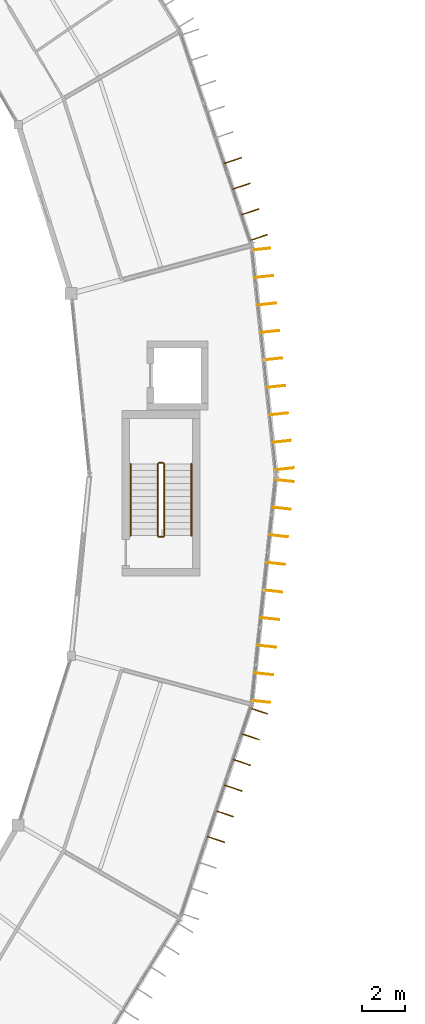
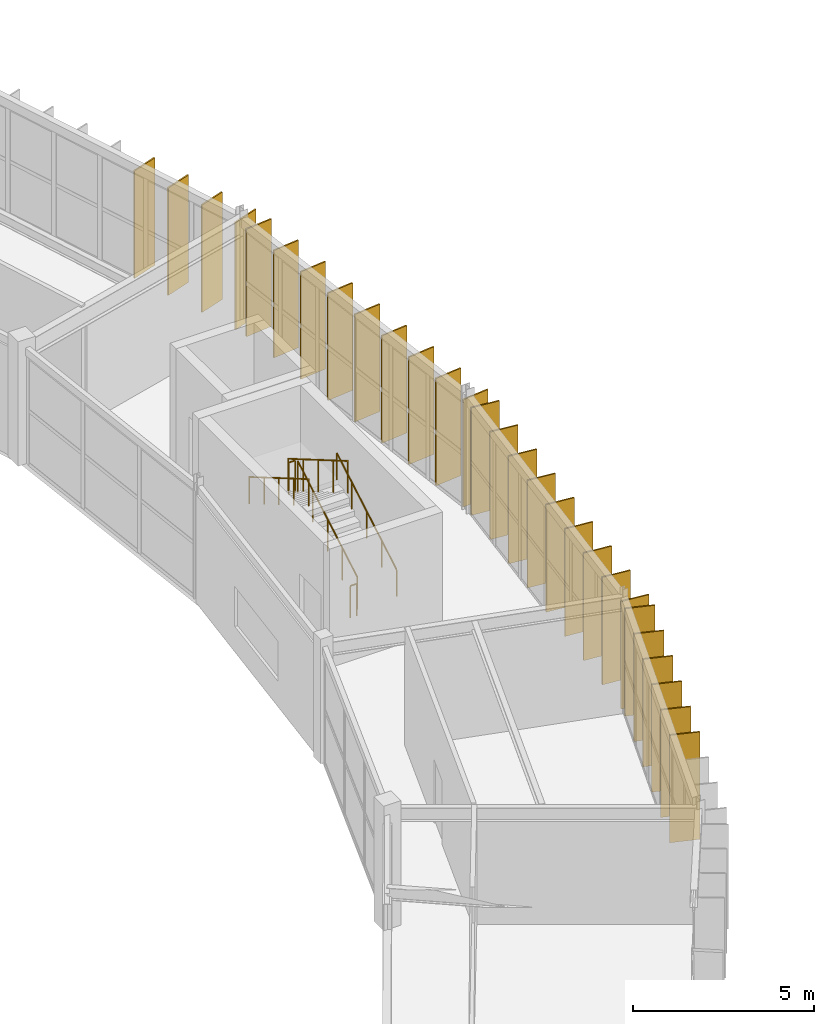
# One storey, part 102 of 106: 28 shading devices, 6 railings.
"""IFC4 building model written with IfcOpenShell, lengths in metres."""

import ifcopenshell
import ifcopenshell.guid

model = None  # the IFC model being written
_history = None  # IfcOwnerHistory: only IFC2X3 demands one
_inside = {}  # id of a spatial element -> (the spatial element, [elements in it])
_under = {}  # id of a project, library or spatial element -> (it, [spatial elements below it])
_declared = {}  # id of a project -> (the project, [libraries it declares])
_typed = {}  # id of a type object -> (the type object, [elements of that type])
_made_of = {}  # id of a material, layer set ... -> (it, [elements and type objects made of it])


def new_model(schema):
    """Start an empty IFC model of exactly this schema.

    Asked for "IFC4X3", IfcOpenShell would pick the latest addendum, in which some entities
    have other attributes; the version numbers below select the first issue.
    IFC2X3 requires an IfcOwnerHistory on every rooted entity: one is made here for all.
    """
    global model, _history
    if schema == "IFC4X3":
        model = ifcopenshell.file(schema_version=(4, 3, 0, 0))
    else:
        model = ifcopenshell.file(schema=schema)
    _inside.clear()
    _under.clear()
    _declared.clear()
    _typed.clear()
    _made_of.clear()
    _history = None
    if model.schema == "IFC2X3":
        org = make("IfcOrganization", Name="unknown")
        user = make(
            "IfcPersonAndOrganization",
            ThePerson=make("IfcPerson", FamilyName="unknown"),
            TheOrganization=org,
        )
        app = make(
            "IfcApplication",
            ApplicationDeveloper=org,
            Version="unknown",
            ApplicationFullName="unknown",
            ApplicationIdentifier="unknown",
        )
        _history = make(
            "IfcOwnerHistory",
            OwningUser=user,
            OwningApplication=app,
            ChangeAction="ADDED",
            CreationDate=0,
        )
    return model


def make(cls, **values):
    """One entity of the class cls with the attributes given. An attribute that is None is left unset."""
    return model.create_entity(
        cls, **{name: value for name, value in values.items() if value is not None}
    )


def rooted(cls, **values):
    """An entity with a GlobalId (a new one), such as an element, a storey or a relation."""
    return make(cls, GlobalId=ifcopenshell.guid.new(), OwnerHistory=_history, **values)


def si_unit(unit_type, name, prefix=None):
    """IfcSIUnit, for example si_unit("LENGTHUNIT", "METRE", prefix="MILLI")."""
    return make("IfcSIUnit", UnitType=unit_type, Prefix=prefix, Name=name)


def assignment(units):
    """IfcUnitAssignment: the units of a project."""
    return None if units is None else make("IfcUnitAssignment", Units=units)


def point(xyz):
    """IfcCartesianPoint."""
    return None if xyz is None else make("IfcCartesianPoint", Coordinates=xyz)


def direction(xyz):
    """IfcDirection."""
    return None if xyz is None else make("IfcDirection", DirectionRatios=xyz)


def frame(location, z_axis=None, x_axis=None):
    """IfcAxis2Placement3D, a coordinate frame: its origin and axes. An axis left out is left unset."""
    return make(
        "IfcAxis2Placement3D",
        Location=point(location),
        Axis=direction(z_axis),
        RefDirection=direction(x_axis),
    )


def frame_2d(location, x_axis=None):
    """IfcAxis2Placement2D, a coordinate frame in the plane: its origin and x axis."""
    return make(
        "IfcAxis2Placement2D", Location=point(location), RefDirection=direction(x_axis)
    )


def origin():
    """The frame at (0, 0, 0) with its axes left unset."""
    return frame((0.0, 0.0, 0.0))


def origin_2d():
    """The frame at (0, 0) in the plane with its x axis left unset."""
    return frame_2d((0.0, 0.0))


def place(relative_to, where):
    """IfcLocalPlacement: puts the frame where relative to a parent placement (None: the world)."""
    return make(
        "IfcLocalPlacement", PlacementRelTo=relative_to, RelativePlacement=where
    )


def context(
    kind, dimensions, precision=None, world=None, true_north=None, identifier=None
):
    """IfcGeometricRepresentationContext, for example the 3D "Model" context."""
    return make(
        "IfcGeometricRepresentationContext",
        ContextIdentifier=identifier,
        ContextType=kind,
        CoordinateSpaceDimension=dimensions,
        Precision=precision,
        WorldCoordinateSystem=world,
        TrueNorth=true_north,
    )


def subcontext(parent, identifier, kind, view, scale=None):
    """IfcGeometricRepresentationSubContext, for example "Body" below "Model"."""
    return make(
        "IfcGeometricRepresentationSubContext",
        ContextIdentifier=identifier,
        ContextType=kind,
        ParentContext=parent,
        TargetScale=scale,
        TargetView=view,
    )


def project(units=None, contexts=None):
    """IfcProject with its units and contexts."""
    return rooted(
        "IfcProject",
        Name="project",
        RepresentationContexts=contexts,
        UnitsInContext=assignment(units),
    )


def spatial(cls, under=None, at=None, **own):
    """A site, building, storey or space (cls), placed at a placement, below another one or the project."""
    s = rooted(cls, ObjectPlacement=at, **own)
    if under is not None:
        _under.setdefault(under.id(), (under, []))[1].append(s)
    return s


def profile(cls, at=None, kind="AREA", **sizes):
    """A parametric profile (cls). Its sizes go by their IFC names, for example OverallWidth=200.0."""
    return make(cls, ProfileType=kind, Position=at, **sizes)


def rectangle(**sizes):
    """IfcRectangleProfileDef."""
    return profile("IfcRectangleProfileDef", **sizes)


def circle(**sizes):
    """IfcCircleProfileDef."""
    return profile("IfcCircleProfileDef", **sizes)


def extrude(swept, where, along, depth):
    """IfcExtrudedAreaSolid: the profile swept, set in the frame where, extruded along a direction by depth."""
    return make(
        "IfcExtrudedAreaSolid",
        SweptArea=swept,
        Position=where,
        ExtrudedDirection=direction(along),
        Depth=depth,
    )


def shape(context_of_items, identifier, shape_type, items):
    """IfcShapeRepresentation: the items that make up one representation, for example the "Body"."""
    return make(
        "IfcShapeRepresentation",
        ContextOfItems=context_of_items,
        RepresentationIdentifier=identifier,
        RepresentationType=shape_type,
        Items=items,
    )


def material(Name=None, Category=None):
    """IfcMaterial."""
    return make("IfcMaterial", Name=Name, Category=Category)


def layer(
    of_material, thickness, ventilated=None, Name=None, Category=None, Priority=None
):
    """IfcMaterialLayer: one layer of a wall or slab, of a material (None: an air gap)."""
    return make(
        "IfcMaterialLayer",
        Material=of_material,
        LayerThickness=thickness,
        IsVentilated=ventilated,
        Name=Name,
        Category=Category,
        Priority=Priority,
    )


def layer_set(layers, Name=None):
    """IfcMaterialLayerSet."""
    return make("IfcMaterialLayerSet", MaterialLayers=layers, LayerSetName=Name)


def made_of(thing, what):
    """Note that an element or type object is made of a material, layer set ...; save() writes the relation."""
    if what is not None:
        _made_of.setdefault(what.id(), (what, []))[1].append(thing)
    return thing


def type_object(cls, material=None, **own):
    """A type object (cls), such as IfcWallType, which elements share."""
    return made_of(rooted(cls, **own), material)


def element(
    cls,
    number,
    at=None,
    inside=None,
    cuts=None,
    type_object=None,
    material=None,
    context=None,
    identifier="Body",
    shape_type=None,
    held_by="IfcProductDefinitionShape",
    body=None,
    shapes=None,
    **own,
):
    """One element of the class cls, such as IfcWall. Its Tag is "e" and its number.

    at: its placement. inside: the storey or other place that contains it. cuts: it is an
    opening in that element (IfcRelVoidsElement). A single representation is given by context,
    identifier, shape_type and body (its items); several are given by shapes. held_by: the class
    of the entity that holds the representations. save() writes the other relations.
    """
    e = rooted(cls, Tag="e%d" % number, ObjectPlacement=at, **own)
    if body is not None:
        shapes = [shape(context, identifier, shape_type, body)]
    if shapes is not None:
        e.Representation = make(held_by, Representations=shapes)
    if inside is not None:
        _inside.setdefault(inside.id(), (inside, []))[1].append(e)
    if cuts is not None:
        rooted(
            "IfcRelVoidsElement", RelatingBuildingElement=cuts, RelatedOpeningElement=e
        )
    if type_object is not None:
        _typed.setdefault(type_object.id(), (type_object, []))[1].append(e)
    return made_of(e, material)


def aggregate(whole, parts):
    """IfcRelAggregates: a whole, such as a stair, and the parts it consists of."""
    return rooted("IfcRelAggregates", RelatingObject=whole, RelatedObjects=parts)


def save(model, path):
    """Write the relations noted so far, then the file.

    IfcRelAggregates (storeys below a building ...), IfcRelContainedInSpatialStructure (elements
    in a storey), IfcRelDefinesByType, IfcRelAssociatesMaterial and IfcRelDeclares: one each for
    every whole, place, type object, material and project.
    """
    for whole, parts in _under.values():
        aggregate(whole, parts)
    for where, things in _inside.values():
        rooted(
            "IfcRelContainedInSpatialStructure",
            RelatedElements=things,
            RelatingStructure=where,
        )
    for kind, things in _typed.values():
        rooted("IfcRelDefinesByType", RelatedObjects=things, RelatingType=kind)
    for what, things in _made_of.values():
        rooted("IfcRelAssociatesMaterial", RelatedObjects=things, RelatingMaterial=what)
    for by, libraries in _declared.values():
        rooted("IfcRelDeclares", RelatingContext=by, RelatedDefinitions=libraries)
    model.write(path)


model = new_model("IFC4")

# Units and contexts
model_context = context("Model", 3, precision=1e-05, world=origin(), true_north=direction((0.0, 1.0)))
body_context = subcontext(model_context, "Body", "Model", "MODEL_VIEW")
ifc_project = project(units=[si_unit("LENGTHUNIT", "METRE"), si_unit("AREAUNIT", "SQUARE_METRE"), si_unit("VOLUMEUNIT", "CUBIC_METRE"), si_unit("PLANEANGLEUNIT", "RADIAN"), si_unit("MASSUNIT", "GRAM", prefix="KILO")], contexts=[model_context])

# Site, building, storey
site_placement = place(None, origin())
site = spatial("IfcSite", under=ifc_project, at=site_placement, CompositionType="ELEMENT")
building_placement = place(site_placement, origin())
building = spatial("IfcBuilding", under=site, at=building_placement, Name="Karori Crest Natural Sciences Institute", CompositionType="ELEMENT")
storey_placement = place(building_placement, frame((0.0, 0.0, 25.89990234375)))
storey = spatial("IfcBuildingStorey", under=building, at=storey_placement, Name="L06", CompositionType="ELEMENT", Elevation=25.89990234375)

# Railings
ifc_material_1 = material(Name="Stainless steel 316 tubular handrail", Category="steel")
railing_type_1 = type_object("IfcRailingType", Name="RLT-HND", PredefinedType="HANDRAIL", material=ifc_material_1)
railing_1_placement = place(storey_placement, frame((95.5, 47.10009765625, 0.175048828125)))
element("IfcRailing", 1, at=railing_1_placement, inside=storey, type_object=railing_type_1, Name="Stair handrail RL-0047", PredefinedType="HANDRAIL", context=body_context, shape_type="SweptSolid", body=[
    extrude(circle(Radius=0.02392578125, at=origin_2d()), frame((0.0, 0.0, 0.90087890625), z_axis=(0.0, 0.863760357493, 0.503902812876), x_axis=(-1.0, 0.0, 0.0)), (0.0, 0.0, 1.0), 3.8203125),
    extrude(circle(Radius=0.02099609375, at=origin_2d()), origin(), (0.0, 0.0, 1.0), 0.876953125),
    extrude(circle(Radius=0.02099609375, at=origin_2d()), frame((0.0, 0.824951171875, 0.481201171875)), (0.0, 0.0, 1.0), 0.876953125),
    extrude(circle(Radius=0.02099609375, at=origin_2d()), frame((0.0, 1.64990234375, 0.96240234375)), (0.0, 0.0, 1.0), 0.876953125),
    extrude(circle(Radius=0.02099609375, at=origin_2d()), frame((0.0, 2.474853515625, 1.44384765625)), (0.0, 0.0, 1.0), 0.876953125),
    extrude(circle(Radius=0.02099609375, at=origin_2d()), frame((0.0, 3.2998046875, 1.925048828125)), (0.0, 0.0, 1.0), 0.876953125),
])
railing_2_placement = place(storey_placement, frame((92.699951171875, 50.39990234375, 2.275146484375)))
element("IfcRailing", 2, at=railing_2_placement, inside=storey, type_object=railing_type_1, Name="Stair handrail RL-0048", PredefinedType="HANDRAIL", context=body_context, shape_type="SweptSolid", body=[
    extrude(circle(Radius=0.02392578125, at=origin_2d()), frame((0.0, 0.0, 0.90087890625), z_axis=(0.0, -0.863760357493, 0.503902812876), x_axis=(1.0, 0.0, 0.0)), (0.0, 0.0, 1.0), 3.8203125),
    extrude(circle(Radius=0.02099609375, at=origin_2d()), origin(), (0.0, 0.0, 1.0), 0.876953125),
    extrude(circle(Radius=0.02099609375, at=origin_2d()), frame((0.0, -0.824951171875, 0.481201171875)), (0.0, 0.0, 1.0), 0.876953125),
    extrude(circle(Radius=0.02099609375, at=origin_2d()), frame((0.0, -1.64990234375, 0.96240234375)), (0.0, 0.0, 1.0), 0.876953125),
    extrude(circle(Radius=0.02099609375, at=origin_2d()), frame((0.0, -2.474853515625, 1.44384765625)), (0.0, 0.0, 1.0), 0.876953125),
    extrude(circle(Radius=0.02099609375, at=origin_2d()), frame((0.0, -3.2998046875, 1.925048828125)), (0.0, 0.0, 1.0), 0.876953125),
])
ifc_material_2 = material(Name="Stainless steel 316 stair guard", Category="steel")
railing_type_2 = type_object("IfcRailingType", Name="RLT-STG", PredefinedType="GUARDRAIL", material=ifc_material_2)
railing_3_placement = place(storey_placement, frame((94.25, 47.10009765625, 0.175048828125)))
element("IfcRailing", 3, at=railing_3_placement, inside=storey, type_object=railing_type_2, Name="Stair guard RL-0043", PredefinedType="GUARDRAIL", context=body_context, shape_type="SweptSolid", body=[
    extrude(circle(Radius=0.02392578125, at=origin_2d()), frame((0.0, 0.0, 1.076171875), z_axis=(0.0, 0.863760357493, 0.503902812876), x_axis=(-1.0, 0.0, 0.0)), (0.0, 0.0, 1.0), 3.8203125),
    extrude(circle(Radius=0.02099609375, at=origin_2d()), origin(), (0.0, 0.0, 1.0), 1.052001953125),
    extrude(circle(Radius=0.02099609375, at=origin_2d()), frame((0.0, 0.824951171875, 0.481201171875)), (0.0, 0.0, 1.0), 1.052001953125),
    extrude(circle(Radius=0.02099609375, at=origin_2d()), frame((0.0, 1.64990234375, 0.96240234375)), (0.0, 0.0, 1.0), 1.052001953125),
    extrude(circle(Radius=0.02099609375, at=origin_2d()), frame((0.0, 2.474853515625, 1.44384765625)), (0.0, 0.0, 1.0), 1.052001953125),
    extrude(circle(Radius=0.02099609375, at=origin_2d()), frame((0.0, 3.2998046875, 1.925048828125)), (0.0, 0.0, 1.0), 1.052001953125),
])
railing_4_placement = place(storey_placement, frame((94.199951171875, 50.449951171875, 2.10009765625)))
element("IfcRailing", 4, at=railing_4_placement, inside=storey, type_object=railing_type_2, Name="Stair guard RL-0044", PredefinedType="GUARDRAIL", context=body_context, shape_type="SweptSolid", body=[
    extrude(circle(Radius=0.02392578125, at=origin_2d()), frame((0.0, 0.0, 1.076171875), z_axis=(-1.0, 0.0, 0.0), x_axis=(0.0, -1.0, 0.0)), (0.0, 0.0, 1.0), 0.199951171875),
    extrude(circle(Radius=0.02099609375, at=origin_2d()), origin(), (0.0, 0.0, 1.0), 1.052001953125),
    extrude(circle(Radius=0.02099609375, at=origin_2d()), frame((-0.199951171875, 0.0, 0.0)), (0.0, 0.0, 1.0), 1.052001953125),
])
railing_5_placement = place(storey_placement, frame((93.949951171875, 50.39990234375, 2.275146484375)))
element("IfcRailing", 5, at=railing_5_placement, inside=storey, type_object=railing_type_2, Name="Stair guard RL-0045", PredefinedType="GUARDRAIL", context=body_context, shape_type="SweptSolid", body=[
    extrude(circle(Radius=0.02392578125, at=origin_2d()), frame((0.0, 0.0, 1.076171875), z_axis=(0.0, -0.863760357493, 0.503902812876), x_axis=(1.0, 0.0, 0.0)), (0.0, 0.0, 1.0), 3.8203125),
    extrude(circle(Radius=0.02099609375, at=origin_2d()), origin(), (0.0, 0.0, 1.0), 1.052001953125),
    extrude(circle(Radius=0.02099609375, at=origin_2d()), frame((0.0, -0.824951171875, 0.481201171875)), (0.0, 0.0, 1.0), 1.052001953125),
    extrude(circle(Radius=0.02099609375, at=origin_2d()), frame((0.0, -1.64990234375, 0.96240234375)), (0.0, 0.0, 1.0), 1.052001953125),
    extrude(circle(Radius=0.02099609375, at=origin_2d()), frame((0.0, -2.474853515625, 1.44384765625)), (0.0, 0.0, 1.0), 1.052001953125),
    extrude(circle(Radius=0.02099609375, at=origin_2d()), frame((0.0, -3.2998046875, 1.925048828125)), (0.0, 0.0, 1.0), 1.052001953125),
])
railing_6_placement = place(storey_placement, frame((94.199951171875, 47.050048828125, 0.0)))
element("IfcRailing", 6, at=railing_6_placement, inside=storey, type_object=railing_type_2, Name="Stair guard RL-0046", PredefinedType="GUARDRAIL", context=body_context, shape_type="SweptSolid", body=[
    extrude(circle(Radius=0.02392578125, at=origin_2d()), frame((0.0, 0.0, 1.076171875), z_axis=(-1.0, 0.0, 0.0), x_axis=(0.0, -1.0, 0.0)), (0.0, 0.0, 1.0), 0.199951171875),
    extrude(circle(Radius=0.02099609375, at=origin_2d()), origin(), (0.0, 0.0, 1.0), 1.052001953125),
    extrude(circle(Radius=0.02099609375, at=origin_2d()), frame((-0.199951171875, 0.0, 0.0)), (0.0, 0.0, 1.0), 1.052001953125),
])

# Shading devices
ifc_material_3 = material(Name="Anodised architectural aluminium 6063-T6", Category="aluminium")
ifc_layer = layer(ifc_material_3, 0.044921875, Name="Anodised architectural aluminium 6063-T6")
ifc_layer_set = layer_set([ifc_layer], Name="Anodised architectural aluminium 6063-T6")
shading_device_type = type_object("IfcShadingDeviceType", Name="SDT-FIN", PredefinedType="USERDEFINED", material=ifc_layer_set)
for number, where, z_axis, x_axis, name in (
    (7, (98.606201171875, 39.035888671875, 0.0), (0.0, 0.0, 1.0), (0.948197867933, -0.317680347595, 0.0), "Vertical solar fin FN-1070"),
    (8, (98.21044921875, 37.855224609375, 0.0), (0.0, 0.0, 1.0), (0.948197867933, -0.317680347595, 0.0), "Vertical solar fin FN-1071"),
    (9, (97.81494140625, 36.67431640625, 0.0), (0.0, 0.0, 1.0), (0.948197867933, -0.317680347595, 0.0), "Vertical solar fin FN-1072"),
    (10, (97.419189453125, 35.49365234375, 0.0), (0.0, 0.0, 1.0), (0.948197867933, -0.317680347595, 0.0), "Vertical solar fin FN-1073"),
    (11, (97.023681640625, 34.31298828125, 0.0), (0.0, 0.0, 1.0), (0.948197867933, -0.317680347595, 0.0), "Vertical solar fin FN-1074"),
    (12, (96.628173828125, 33.132080078125, 0.0), (0.0, 0.0, 1.0), (0.948197867933, -0.317680347595, 0.0), "Vertical solar fin FN-1075"),
    (13, (99.783447265625, 49.629150390625, 0.0), (0.0, 0.0, 1.0), (0.994378303702, -0.105885736186, 0.0), "Vertical solar fin FN-1079"),
    (14, (99.6484375, 48.35986328125, 0.0), (0.0, 0.0, 1.0), (0.994378303702, -0.105885736186, 0.0), "Vertical solar fin FN-1080"),
    (15, (99.51318359375, 47.0908203125, 0.0), (0.0, 0.0, 1.0), (0.994378303702, -0.105885736186, 0.0), "Vertical solar fin FN-1081"),
    (16, (99.3779296875, 45.821533203125, 0.0), (0.0, 0.0, 1.0), (0.994378303702, -0.105885736186, 0.0), "Vertical solar fin FN-1082"),
    (17, (99.242919921875, 44.55224609375, 0.0), (0.0, 0.0, 1.0), (0.994378303702, -0.105885736186, 0.0), "Vertical solar fin FN-1083"),
    (18, (99.107666015625, 43.282958984375, 0.0), (0.0, 0.0, 1.0), (0.994378303702, -0.105885736186, 0.0), "Vertical solar fin FN-1084"),
    (19, (98.97265625, 42.013916015625, 0.0), (0.0, 0.0, 1.0), (0.994378303702, -0.105885736186, 0.0), "Vertical solar fin FN-1085"),
    (20, (98.83740234375, 40.74462890625, 0.0), (0.0, 0.0, 1.0), (0.994378303702, -0.105885736186, 0.0), "Vertical solar fin FN-1086"),
    (21, (98.702392578125, 39.475341796875, 0.0), (0.0, 0.0, 1.0), (0.994378303702, -0.105885736186, 0.0), "Vertical solar fin FN-1087"),
    (22, (98.707275390625, 60.27880859375, 0.0), (0.0, 0.0, 1.0), (0.994378488506, 0.105884000668, 0.0), "Vertical solar fin FN-1088"),
    (23, (98.841796875, 59.015380859375, 0.0), (0.0, 0.0, 1.0), (0.994378488506, 0.105884000668, 0.0), "Vertical solar fin FN-1089"),
    (24, (98.976318359375, 57.751708984375, 0.0), (0.0, 0.0, 1.0), (0.994378488506, 0.105884000668, 0.0), "Vertical solar fin FN-1090"),
    (25, (99.11083984375, 56.48828125, 0.0), (0.0, 0.0, 1.0), (0.994378488506, 0.105884000668, 0.0), "Vertical solar fin FN-1091"),
    (26, (99.245361328125, 55.224853515625, 0.0), (0.0, 0.0, 1.0), (0.994378488506, 0.105884000668, 0.0), "Vertical solar fin FN-1092"),
    (27, (99.3798828125, 53.961181640625, 0.0), (0.0, 0.0, 1.0), (0.994378488506, 0.105884000668, 0.0), "Vertical solar fin FN-1093"),
    (28, (99.514404296875, 52.69775390625, 0.0), (0.0, 0.0, 1.0), (0.994378488506, 0.105884000668, 0.0), "Vertical solar fin FN-1094"),
    (29, (99.64892578125, 51.434326171875, 0.0), (0.0, 0.0, 1.0), (0.994378488506, 0.105884000668, 0.0), "Vertical solar fin FN-1095"),
    (30, (99.783447265625, 50.1708984375, 0.0), (0.0, 0.0, 1.0), (0.994378488506, 0.105884000668, 0.0), "Vertical solar fin FN-1096"),
    (31, (97.40380859375, 64.352294921875, 0.0), (0.0, 0.0, 1.0), (0.948197867933, 0.317680347595, 0.0), "Vertical solar fin FN-1102"),
    (32, (97.799560546875, 63.171630859375, 0.0), (0.0, 0.0, 1.0), (0.948197867933, 0.317680347595, 0.0), "Vertical solar fin FN-1103"),
    (33, (98.195068359375, 61.99072265625, 0.0), (0.0, 0.0, 1.0), (0.948197867933, 0.317680347595, 0.0), "Vertical solar fin FN-1104"),
    (34, (98.5908203125, 60.81005859375, 0.0), (0.0, 0.0, 1.0), (0.948197867933, 0.317680347595, 0.0), "Vertical solar fin FN-1105"),
):
    element("IfcShadingDevice", number, at=place(storey_placement, frame(where, z_axis=z_axis, x_axis=x_axis)), inside=storey, type_object=shading_device_type, Name=name, ObjectType="SOLAR_FIN", PredefinedType="USERDEFINED", context=body_context, shape_type="SweptSolid", body=[
        extrude(rectangle(XDim=0.85009765625, YDim=0.044921875, at=origin_2d()), origin(), (0.0, 0.0, 1.0), 3.625),
    ])

save(model, "model.ifc")
